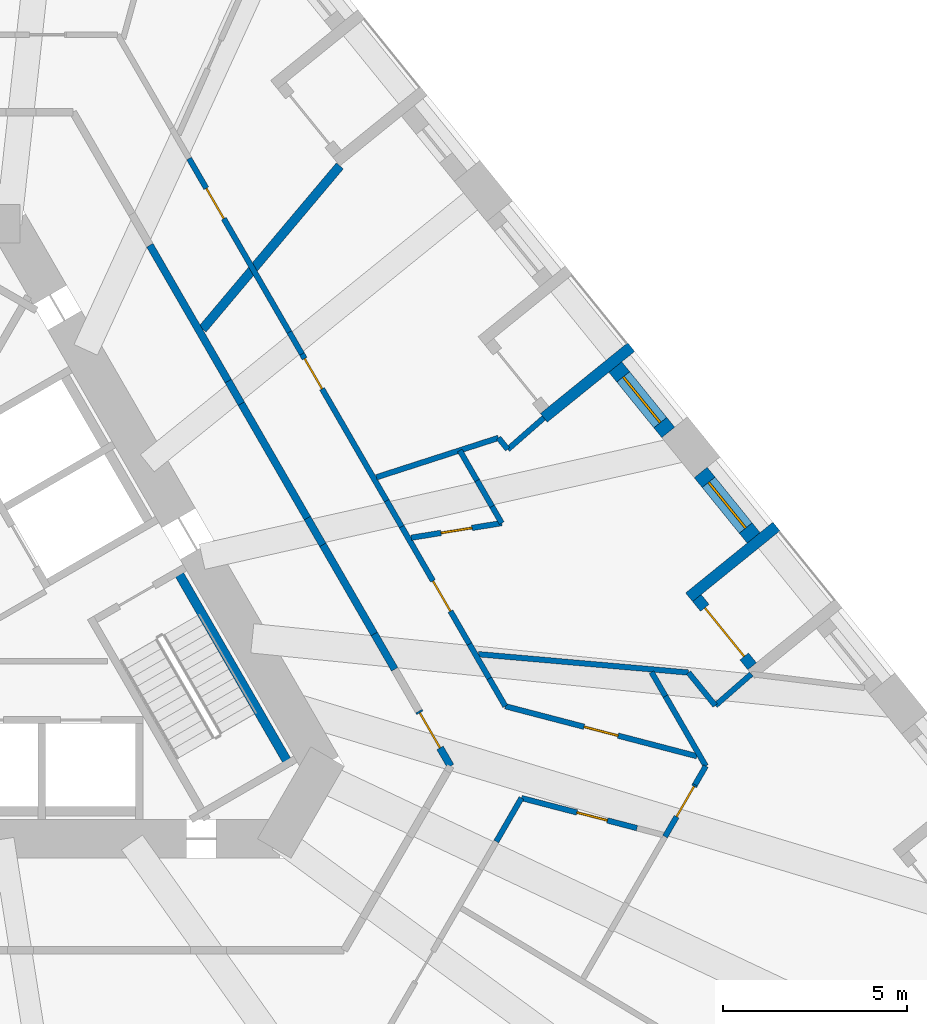
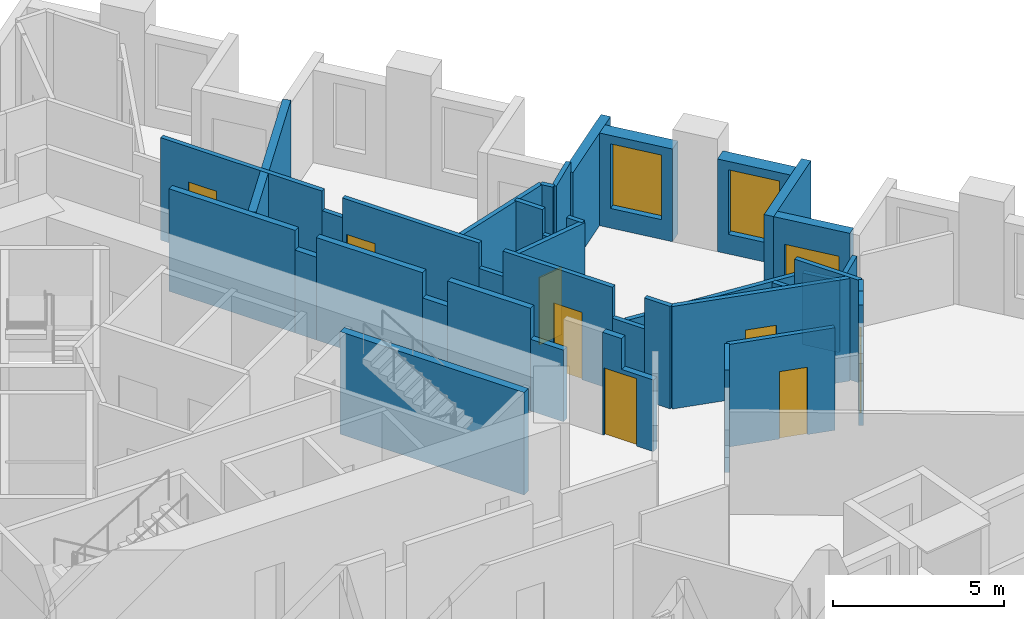
# One storey, part 7 of 14: 38 walls, 9 doors, 2 windows, 11 openings.
"""IFC4 building model written with IfcOpenShell, lengths in metres."""

from ifc_helpers import new_model, si_unit, direction, frame, frame_2d, origin, place, context, subcontext, project, spatial, polyline, rectangle, outline, extrude, material, layer, layer_set, type_object, element, fill, save


model = new_model("IFC4")

# Units and contexts
model_context = context("Model", 3, precision=1e-05, world=origin(), true_north=direction((0.0, 1.0)))
body_context = subcontext(model_context, "Body", "Model", "MODEL_VIEW")
ifc_project = project(units=[si_unit("LENGTHUNIT", "METRE"), si_unit("AREAUNIT", "SQUARE_METRE"), si_unit("VOLUMEUNIT", "CUBIC_METRE"), si_unit("PLANEANGLEUNIT", "RADIAN"), si_unit("MASSUNIT", "GRAM", prefix="KILO")], contexts=[model_context])

# Site, building, storey
site_placement = place(None, origin())
site = spatial("IfcSite", under=ifc_project, at=site_placement, CompositionType="ELEMENT")
building_placement = place(site_placement, origin())
building = spatial("IfcBuilding", under=site, at=building_placement, Name="Tramontana Tower", CompositionType="ELEMENT")
storey_placement = place(building_placement, frame((0.0, 0.0, 71.199951171875)))
storey = spatial("IfcBuildingStorey", under=building, at=storey_placement, Name="L15", CompositionType="ELEMENT", Elevation=71.199951171875)

# Walls
ifc_material_1 = material(Name="Blockwork", Category="masonry")
ifc_layer_1 = layer(ifc_material_1, 0.199951171875)
ifc_layer_set_1 = layer_set([ifc_layer_1], Name="ENTRY WALL 200")
wall_type_1 = type_object("IfcWallType", Name="ENTRY WALL 200", PredefinedType="SOLIDWALL", material=ifc_layer_set_1)
wall_1_placement = place(storey_placement, frame((4.97265625, 9.88720703125, 0.0), z_axis=(0.0, 0.0, 1.0), x_axis=(0.500000470374, -0.866025132214, 0.0)))
element("IfcWall", 1, at=wall_1_placement, inside=storey, type_object=wall_type_1, Name="Wall v11-ew0-2", PredefinedType="SOLIDWALL", context=body_context, shape_type="SweptSolid", body=[
    extrude(rectangle(XDim=4.2568359375, YDim=0.199951171875, at=frame_2d((2.12841796875, 0.0))), origin(), (0.0, 0.0, 1.0), 3.650146484375),
])
wall_2_placement = place(storey_placement, frame((7.10107421875, 6.20068359375, 0.0), z_axis=(0.0, 0.0, 1.0), x_axis=(0.499881507708, -0.866093804534, 0.0)))
element("IfcWall", 2, at=wall_2_placement, inside=storey, type_object=wall_type_1, Name="Wall v11-ew0-3", PredefinedType="SOLIDWALL", context=body_context, shape_type="SweptSolid", body=[
    extrude(rectangle(XDim=0.708740234375, YDim=0.199951171875, at=frame_2d((0.3544921875, 0.0))), origin(), (0.0, 0.0, 1.0), 2.949951171875),
])
wall_3_placement = place(storey_placement, frame((7.455322265625, 5.5869140625, 0.0), z_axis=(0.0, 0.0, 1.0), x_axis=(0.500013241293, -0.866017758786, 0.0)))
element("IfcWall", 3, at=wall_3_placement, inside=storey, type_object=wall_type_1, Name="Wall v11-ew0-4", PredefinedType="SOLIDWALL", context=body_context, shape_type="SweptSolid", body=[
    extrude(rectangle(XDim=3.58544921875, YDim=0.199951171875, at=frame_2d((1.792724609375, 0.0))), origin(), (0.0, 0.0, 1.0), 3.650146484375),
])
wall_4_placement = place(storey_placement, frame((9.248046875, 2.48193359375, 0.0), z_axis=(0.0, 0.0, 1.0), x_axis=(0.500117447933, -0.865957584569, 0.0)))
element("IfcWall", 4, at=wall_4_placement, inside=storey, type_object=wall_type_1, Name="Wall v11-ew0-5", PredefinedType="SOLIDWALL", context=body_context, shape_type="SweptSolid", body=[
    extrude(rectangle(XDim=0.838134765625, YDim=0.199951171875, at=frame_2d((0.4189453125, 0.0))), origin(), (0.0, 0.0, 1.0), 2.75),
])
wall_5_placement = place(storey_placement, frame((9.667236328125, 1.756103515625, 0.0), z_axis=(0.0, 0.0, 1.0), x_axis=(0.499964529649, -0.866045881633, 0.0)))
element("IfcWall", 5, at=wall_5_placement, inside=storey, type_object=wall_type_1, Name="Wall v11-ew0-6", PredefinedType="SOLIDWALL", context=body_context, shape_type="SweptSolid", body=[
    extrude(rectangle(XDim=2.793701171875, YDim=0.199951171875, at=frame_2d((1.39697265625, 0.0))), origin(), (0.0, 0.0, 1.0), 3.650146484375),
])
wall_6_placement = place(storey_placement, frame((11.06396484375, -0.663330078125, 0.0), z_axis=(0.0, 0.0, 1.0), x_axis=(0.499951133605, -0.866053614973, 0.0)))
element("IfcWall", 6, at=wall_6_placement, inside=storey, type_object=wall_type_1, Name="Wall v11-ew0-7", PredefinedType="SOLIDWALL", context=body_context, shape_type="SweptSolid", body=[
    extrude(rectangle(XDim=1.10888671875, YDim=0.199951171875, at=frame_2d((0.554443359375, 0.0))), origin(), (0.0, 0.0, 1.0), 2.550048828125),
])

# Wall, opening, door
wall_7_placement = place(storey_placement, frame((12.274658203125, -2.76025390625, 0.0), z_axis=(0.0, 0.0, 1.0), x_axis=(0.500000921525, -0.866024871741, 0.0)))
wall_7 = element("IfcWall", 7, at=wall_7_placement, inside=storey, type_object=wall_type_1, Name="Wall v11-ew0-9", PredefinedType="SOLIDWALL", context=body_context, shape_type="SweptSolid", body=[
    extrude(outline(polyline([(0.0, 0.0), (1.72021484375, 0.0), (1.72021484375, 2.550048828125), (0.64990234375, 2.550048828125), (0.64990234375, 3.650146484375), (0.0, 3.650146484375), (0.0, 0.0)])), frame((0.0, 0.10009765625, 0.0), z_axis=(0.0, -1.0, 0.0), x_axis=(1.0, 0.0, 0.0)), (0.0, 0.0, 1.0), 0.199951171875),
])
opening_1_placement = place(wall_7_placement, frame((0.050048828125, 0.0, 0.0)))
opening_1 = element("IfcOpeningElement", 8, at=opening_1_placement, cuts=wall_7, Name="Opening B1B-31", PredefinedType="OPENING", context=body_context, shape_type="SweptSolid", body=[
    extrude(rectangle(XDim=1.10009765625, YDim=2.39990234375, at=frame_2d((0.550048828125, 1.199951171875))), frame((0.0, 0.10986328125, 0.0), z_axis=(0.0, -1.0, 0.0), x_axis=(1.0, 0.0, 0.0)), (0.0, 0.0, 1.0), 0.219970703125),
])
ifc_material_2 = material(Name="Painted timber", Category="wood")
door_type_1 = type_object("IfcDoorType", Name="DOOR ENTRY 1100", OperationType="SINGLE_SWING_LEFT", PredefinedType="DOOR", material=ifc_material_2)
door_1_placement = place(opening_1_placement, origin())
door_1 = element("IfcDoor", 9, at=door_1_placement, inside=storey, type_object=door_type_1, Name="Door B1B-31", OperationType="SINGLE_SWING_LEFT", OverallHeight=2.39990234375, OverallWidth=1.10009765625, PredefinedType="DOOR", context=body_context, shape_type="SweptSolid", body=[
    extrude(rectangle(XDim=1.10009765625, YDim=2.39990234375, at=frame_2d((0.550048828125, 1.199951171875))), frame((0.0, 0.02490234375, 0.0), z_axis=(0.0, -1.0, 0.0), x_axis=(1.0, 0.0, 0.0)), (0.0, 0.0, 1.0), 0.050048828125),
])
fill(opening_1, door_1)

# Wall, opening, window
ifc_material_3 = material(Name="Precast concrete 60 MPa", Category="concrete")
ifc_layer_2 = layer(ifc_material_3, 0.449951171875)
ifc_layer_set_2 = layer_set([ifc_layer_2], Name="Precast concrete 60 MPa, 450 mm")
wall_type_2 = type_object("IfcWallType", Name="EW1 Stone-faced precast wall 450", PredefinedType="SOLIDWALL", material=ifc_layer_set_2)
wall_8_placement = place(storey_placement, frame((21.361572265625, 1.94482421875, 0.0), z_axis=(0.0, 0.0, 1.0), x_axis=(-0.629339730135, 0.777130300576, 0.0)))
wall_8 = element("IfcWall", 10, at=wall_8_placement, inside=storey, type_object=wall_type_2, Name="External wall L15 face 2 bay 2", PredefinedType="SOLIDWALL", context=body_context, shape_type="SweptSolid", body=[
    extrude(rectangle(XDim=2.282958984375, YDim=0.449951171875, at=frame_2d((1.1416015625, 0.0))), origin(), (0.0, 0.0, 1.0), 3.300048828125),
])
opening_2_placement = place(wall_8_placement, frame((0.341552734375, 0.0, 0.699951171875)))
opening_2 = element("IfcOpeningElement", 11, at=opening_2_placement, cuts=wall_8, Name="Opening M1", PredefinedType="OPENING", context=body_context, shape_type="SweptSolid", body=[
    extrude(rectangle(XDim=1.60009765625, YDim=2.300048828125, at=frame_2d((0.800048828125, 1.14990234375))), frame((0.0, 0.23486328125, 0.0), z_axis=(0.0, -1.0, 0.0), x_axis=(1.0, 0.0, 0.0)), (0.0, 0.0, 1.0), 0.469970703125),
])
ifc_material_4 = material(Name="Aluminum frame, double glazing unit", Category="aluminium")
window_type = type_object("IfcWindowType", Name="M1 Window 1.6 x 2.3", PartitioningType="SINGLE_PANEL", PredefinedType="WINDOW", material=ifc_material_4)
window_1_placement = place(opening_2_placement, origin())
window_1 = element("IfcWindow", 12, at=window_1_placement, inside=storey, type_object=window_type, Name="Window M1 L15 face 2 module 6", OverallHeight=2.300048828125, OverallWidth=1.60009765625, PartitioningType="SINGLE_PANEL", PredefinedType="WINDOW", context=body_context, shape_type="SweptSolid", body=[
    extrude(rectangle(XDim=1.60009765625, YDim=2.300048828125, at=frame_2d((0.800048828125, 1.14990234375))), frame((0.0, 0.030029296875, 0.0), z_axis=(0.0, -1.0, 0.0), x_axis=(1.0, 0.0, 0.0)), (0.0, 0.0, 1.0), 0.06005859375),
])
fill(opening_2, window_1)

wall_9_placement = place(storey_placement, frame((19.0439453125, 4.80712890625, 0.0), z_axis=(0.0, 0.0, 1.0), x_axis=(-0.629339730135, 0.777130300576, 0.0)))
wall_9 = element("IfcWall", 13, at=wall_9_placement, inside=storey, type_object=wall_type_2, Name="External wall L15 face 2 bay 3", PredefinedType="SOLIDWALL", context=body_context, shape_type="SweptSolid", body=[
    extrude(rectangle(XDim=2.282958984375, YDim=0.449951171875, at=frame_2d((1.1416015625, 0.0))), origin(), (0.0, 0.0, 1.0), 3.300048828125),
])
opening_3_placement = place(wall_9_placement, frame((0.341552734375, 0.0, 0.699951171875)))
opening_3 = element("IfcOpeningElement", 14, at=opening_3_placement, cuts=wall_9, Name="Opening M1", PredefinedType="OPENING", context=body_context, shape_type="SweptSolid", body=[
    extrude(rectangle(XDim=1.60009765625, YDim=2.300048828125, at=frame_2d((0.800048828125, 1.14990234375))), frame((0.0, 0.23486328125, 0.0), z_axis=(0.0, -1.0, 0.0), x_axis=(1.0, 0.0, 0.0)), (0.0, 0.0, 1.0), 0.469970703125),
])
window_2_placement = place(opening_3_placement, origin())
window_2 = element("IfcWindow", 15, at=window_2_placement, inside=storey, type_object=window_type, Name="Window M1 L15 face 2 module 7", OverallHeight=2.300048828125, OverallWidth=1.60009765625, PartitioningType="SINGLE_PANEL", PredefinedType="WINDOW", context=body_context, shape_type="SweptSolid", body=[
    extrude(rectangle(XDim=1.60009765625, YDim=2.300048828125, at=frame_2d((0.800048828125, 1.14990234375))), frame((0.0, 0.030029296875, 0.0), z_axis=(0.0, -1.0, 0.0), x_axis=(1.0, 0.0, 0.0)), (0.0, 0.0, 1.0), 0.06005859375),
])
fill(opening_3, window_2)

# Wall, opening, door
ifc_material_5 = material(Name="Precast concrete 60 MPa", Category="concrete")
ifc_layer_3 = layer(ifc_material_5, 0.300048828125)
ifc_layer_set_3 = layer_set([ifc_layer_3], Name="LW1 Stone-faced loggia wall 300")
wall_type_3 = type_object("IfcWallType", Name="LW1 Stone-faced loggia wall 300", PredefinedType="SOLIDWALL", material=ifc_layer_set_3)
wall_10_placement = place(storey_placement, frame((21.32080078125, -1.54052734375, 0.0), z_axis=(0.0, 0.0, 1.0), x_axis=(-0.629257171563, 0.777197151331, 0.0)))
wall_10 = element("IfcWall", 16, at=wall_10_placement, inside=storey, type_object=wall_type_3, Name="Loggia wall L15 G1S2.4", PredefinedType="SOLIDWALL", context=body_context, shape_type="SweptSolid", body=[
    extrude(rectangle(XDim=2.383056640625, YDim=0.300048828125, at=frame_2d((1.19140625, 0.0))), origin(), (0.0, 0.0, 1.0), 3.300048828125),
])
opening_4_placement = place(wall_10_placement, frame((0.341552734375, 0.0, 0.0)))
opening_4 = element("IfcOpeningElement", 17, at=opening_4_placement, cuts=wall_10, Name="Opening BD-1S2-04", PredefinedType="OPENING", context=body_context, shape_type="SweptSolid", body=[
    extrude(rectangle(XDim=1.699951171875, YDim=2.39990234375, at=frame_2d((0.85009765625, 1.199951171875))), frame((0.0, 0.159912109375, 0.0), z_axis=(0.0, -1.0, 0.0), x_axis=(1.0, 0.0, 0.0)), (0.0, 0.0, 1.0), 0.320068359375),
])
ifc_material_6 = material(Name="Aluminum frame, double glazing unit", Category="aluminium")
door_type_2 = type_object("IfcDoorType", Name="BD1 Sliding door 1.7 x 2.4", OperationType="SLIDING_TO_LEFT", PredefinedType="DOOR", material=ifc_material_6)
door_2_placement = place(opening_4_placement, origin())
door_2 = element("IfcDoor", 18, at=door_2_placement, inside=storey, type_object=door_type_2, Name="Loggia door L15 G1S2.4", OperationType="SLIDING_TO_LEFT", OverallHeight=2.39990234375, OverallWidth=1.699951171875, PredefinedType="DOOR", context=body_context, shape_type="SweptSolid", body=[
    extrude(rectangle(XDim=1.699951171875, YDim=2.39990234375, at=frame_2d((0.85009765625, 1.199951171875))), frame((0.0, 0.02490234375, 0.0), z_axis=(0.0, -1.0, 0.0), x_axis=(1.0, 0.0, 0.0)), (0.0, 0.0, 1.0), 0.050048828125),
])
fill(opening_4, door_2)

# Walls
wall_11_placement = place(storey_placement, frame((21.98046875, 2.2529296875, 0.0), z_axis=(0.0, 0.0, 1.0), x_axis=(-0.777121820661, -0.629350201281, 0.0)))
element("IfcWall", 19, at=wall_11_placement, inside=storey, type_object=wall_type_3, Name="Loggia return L15 G1S2.4b", PredefinedType="SOLIDWALL", context=body_context, shape_type="SweptSolid", body=[
    extrude(rectangle(XDim=3.0498046875, YDim=0.300048828125, at=frame_2d((1.52490234375, 0.0))), origin(), (0.0, 0.0, 1.0), 3.300048828125),
])
wall_12_placement = place(storey_placement, frame((18.037353515625, 7.12255859375, 0.0), z_axis=(0.0, 0.0, 1.0), x_axis=(-0.777153523895, -0.629311052102, 0.0)))
element("IfcWall", 20, at=wall_12_placement, inside=storey, type_object=wall_type_3, Name="Loggia return L15 G1S2.7a", PredefinedType="SOLIDWALL", context=body_context, shape_type="SweptSolid", body=[
    extrude(rectangle(XDim=3.050048828125, YDim=0.300048828125, at=frame_2d((1.52490234375, 0.0))), origin(), (0.0, 0.0, 1.0), 3.300048828125),
])

# Wall, opening, door
ifc_material_7 = material(Name="Gypsum board partition")
ifc_layer_4 = layer(ifc_material_7, 0.14990234375)
ifc_layer_set_4 = layer_set([ifc_layer_4], Name="PARTITION 150")
wall_type_4 = type_object("IfcWallType", Name="PARTITION 150", PredefinedType="PARTITIONING", material=ifc_layer_set_4)
wall_13_placement = place(storey_placement, frame((6.038330078125, 12.241455078125, 0.0), z_axis=(0.0, 0.0, 1.0), x_axis=(0.500003308737, -0.866023493476, 0.0)))
wall_13 = element("IfcWall", 21, at=wall_13_placement, inside=storey, type_object=wall_type_4, Name="Wall v11-pw35-2", PredefinedType="PARTITIONING", context=body_context, shape_type="SweptSolid", body=[
    extrude(rectangle(XDim=5.44287109375, YDim=0.14990234375, at=frame_2d((2.721435546875, 0.0))), origin(), (0.0, 0.0, 1.0), 3.650146484375),
])
opening_5_placement = place(wall_13_placement, frame((0.932861328125, 0.0, 0.0)))
opening_5 = element("IfcOpeningElement", 22, at=opening_5_placement, cuts=wall_13, Name="Opening B1B-05", PredefinedType="OPENING", context=body_context, shape_type="SweptSolid", body=[
    extrude(rectangle(XDim=0.949951171875, YDim=2.39990234375, at=frame_2d((0.47509765625, 1.199951171875))), frame((0.0, 0.0849609375, 0.0), z_axis=(0.0, -1.0, 0.0), x_axis=(1.0, 0.0, 0.0)), (0.0, 0.0, 1.0), 0.169921875),
])
ifc_material_8 = material(Name="Painted timber", Category="wood")
door_type_3 = type_object("IfcDoorType", Name="DOOR ROOM 950", OperationType="SINGLE_SWING_LEFT", PredefinedType="DOOR", material=ifc_material_8)
door_3_placement = place(opening_5_placement, origin())
door_3 = element("IfcDoor", 23, at=door_3_placement, inside=storey, type_object=door_type_3, Name="Door B1B-05", OperationType="SINGLE_SWING_LEFT", OverallHeight=2.39990234375, OverallWidth=0.949951171875, PredefinedType="DOOR", context=body_context, shape_type="SweptSolid", body=[
    extrude(rectangle(XDim=0.949951171875, YDim=2.39990234375, at=frame_2d((0.47509765625, 1.199951171875))), frame((0.0, 0.02490234375, 0.0), z_axis=(0.0, -1.0, 0.0), x_axis=(1.0, 0.0, 0.0)), (0.0, 0.0, 1.0), 0.050048828125),
])
fill(opening_5, door_3)

# Wall
wall_14_placement = place(storey_placement, frame((8.759765625, 7.52783203125, 0.0), z_axis=(0.0, 0.0, 1.0), x_axis=(0.499712146016, -0.866191532586, 0.0)))
element("IfcWall", 24, at=wall_14_placement, inside=storey, type_object=wall_type_4, Name="Wall v11-pw35-3", PredefinedType="PARTITIONING", context=body_context, shape_type="SweptSolid", body=[
    extrude(rectangle(XDim=0.68359375, YDim=0.14990234375, at=frame_2d((0.341796875, 0.0))), origin(), (0.0, 0.0, 1.0), 2.949951171875),
])

# Wall, opening, door
wall_15_placement = place(storey_placement, frame((9.101318359375, 6.935791015625, 0.0), z_axis=(0.0, 0.0, 1.0), x_axis=(0.500008794324, -0.866020326319, 0.0)))
wall_15 = element("IfcWall", 25, at=wall_15_placement, inside=storey, type_object=wall_type_4, Name="Wall v11-pw35-4", PredefinedType="PARTITIONING", context=body_context, shape_type="SweptSolid", body=[
    extrude(rectangle(XDim=4.6005859375, YDim=0.14990234375, at=frame_2d((2.30029296875, 0.0))), origin(), (0.0, 0.0, 1.0), 3.650146484375),
])
opening_6_placement = place(wall_15_placement, frame((0.14306640625, 0.0, 0.0)))
opening_6 = element("IfcOpeningElement", 26, at=opening_6_placement, cuts=wall_15, Name="Opening B1B-26", PredefinedType="OPENING", context=body_context, shape_type="SweptSolid", body=[
    extrude(rectangle(XDim=0.949951171875, YDim=2.39990234375, at=frame_2d((0.47509765625, 1.199951171875))), frame((0.0, 0.0849609375, 0.0), z_axis=(0.0, -1.0, 0.0), x_axis=(1.0, 0.0, 0.0)), (0.0, 0.0, 1.0), 0.169921875),
])
door_4_placement = place(opening_6_placement, origin())
door_4 = element("IfcDoor", 27, at=door_4_placement, inside=storey, type_object=door_type_3, Name="Door B1B-26", OperationType="SINGLE_SWING_RIGHT", OverallHeight=2.39990234375, OverallWidth=0.949951171875, PredefinedType="DOOR", context=body_context, shape_type="SweptSolid", body=[
    extrude(rectangle(XDim=0.949951171875, YDim=2.39990234375, at=frame_2d((0.47509765625, 1.199951171875))), frame((0.0, 0.02490234375, 0.0), z_axis=(0.0, -1.0, 0.0), x_axis=(1.0, 0.0, 0.0)), (0.0, 0.0, 1.0), 0.050048828125),
])
fill(opening_6, door_4)

# Wall
wall_16_placement = place(storey_placement, frame((11.401611328125, 2.95166015625, 0.0), z_axis=(0.0, 0.0, 1.0), x_axis=(0.500147393723, -0.865940289253, 0.0)))
element("IfcWall", 28, at=wall_16_placement, inside=storey, type_object=wall_type_4, Name="Wall v11-pw35-5", PredefinedType="PARTITIONING", context=body_context, shape_type="SweptSolid", body=[
    extrude(rectangle(XDim=0.812255859375, YDim=0.14990234375, at=frame_2d((0.40625, 0.0))), origin(), (0.0, 0.0, 1.0), 2.75),
])

# Wall, opening, door
wall_17_placement = place(storey_placement, frame((11.807861328125, 2.248291015625, 0.0), z_axis=(0.0, 0.0, 1.0), x_axis=(0.500002145574, -0.866024165033, 0.0)))
wall_17 = element("IfcWall", 29, at=wall_17_placement, inside=storey, type_object=wall_type_4, Name="Wall v11-pw35-6", PredefinedType="PARTITIONING", context=body_context, shape_type="SweptSolid", body=[
    extrude(rectangle(XDim=3.67724609375, YDim=0.14990234375, at=frame_2d((1.838623046875, 0.0))), origin(), (0.0, 0.0, 1.0), 3.650146484375),
])
opening_7_placement = place(wall_17_placement, frame((1.69970703125, 0.0, 0.0)))
opening_7 = element("IfcOpeningElement", 30, at=opening_7_placement, cuts=wall_17, Name="Opening B1B-25", PredefinedType="OPENING", context=body_context, shape_type="SweptSolid", body=[
    extrude(rectangle(XDim=0.949951171875, YDim=2.39990234375, at=frame_2d((0.47509765625, 1.199951171875))), frame((0.0, 0.0849609375, 0.0), z_axis=(0.0, -1.0, 0.0), x_axis=(1.0, 0.0, 0.0)), (0.0, 0.0, 1.0), 0.169921875),
])
door_5_placement = place(opening_7_placement, origin())
door_5 = element("IfcDoor", 31, at=door_5_placement, inside=storey, type_object=door_type_3, Name="Door B1B-25", OperationType="SINGLE_SWING_LEFT", OverallHeight=2.39990234375, OverallWidth=0.949951171875, PredefinedType="DOOR", context=body_context, shape_type="SweptSolid", body=[
    extrude(rectangle(XDim=0.949951171875, YDim=2.39990234375, at=frame_2d((0.47509765625, 1.199951171875))), frame((0.0, 0.02490234375, 0.0), z_axis=(0.0, -1.0, 0.0), x_axis=(1.0, 0.0, 0.0)), (0.0, 0.0, 1.0), 0.050048828125),
])
fill(opening_7, door_5)

# Walls
wall_18_placement = place(storey_placement, frame((13.646484375, -0.936279296875, 0.0), z_axis=(0.0, 0.0, 1.0), x_axis=(0.499938053331, -0.866061165757, 0.0)))
element("IfcWall", 32, at=wall_18_placement, inside=storey, type_object=wall_type_4, Name="Wall v11-pw35-7", PredefinedType="PARTITIONING", context=body_context, shape_type="SweptSolid", body=[
    extrude(rectangle(XDim=1.078369140625, YDim=0.14990234375, at=frame_2d((0.5390625, 0.0))), origin(), (0.0, 0.0, 1.0), 2.550048828125),
])
wall_19_placement = place(storey_placement, frame((14.185546875, -1.8701171875, 0.0), z_axis=(0.0, 0.0, 1.0), x_axis=(0.500053675867, -0.86599441179, 0.0)))
element("IfcWall", 33, at=wall_19_placement, inside=storey, type_object=wall_type_4, Name="Wall v11-pw35-8", PredefinedType="PARTITIONING", context=body_context, shape_type="SweptSolid", body=[
    extrude(rectangle(XDim=0.8720703125, YDim=0.14990234375, at=frame_2d((0.43603515625, 0.0))), origin(), (0.0, 0.0, 1.0), 3.650146484375),
])
wall_20_placement = place(storey_placement, frame((11.120361328125, 3.5888671875, 0.0), z_axis=(0.0, 0.0, 1.0), x_axis=(0.951681527344, 0.307086747536, 0.0)))
element("IfcWall", 34, at=wall_20_placement, inside=storey, type_object=wall_type_4, Name="Wall v11-pw42", PredefinedType="PARTITIONING", context=body_context, shape_type="SweptSolid", body=[
    extrude(rectangle(XDim=3.48291015625, YDim=0.14990234375, at=frame_2d((1.741455078125, 0.0))), origin(), (0.0, 0.0, 1.0), 3.650146484375),
])
wall_21_placement = place(storey_placement, frame((13.384765625, 4.31689453125, 0.0), z_axis=(0.0, 0.0, 1.0), x_axis=(0.499931951619, -0.866064687971, 0.0)))
element("IfcWall", 35, at=wall_21_placement, inside=storey, type_object=wall_type_4, Name="Wall v11-pw45-0", PredefinedType="PARTITIONING", context=body_context, shape_type="SweptSolid", body=[
    extrude(rectangle(XDim=0.941650390625, YDim=0.14990234375, at=frame_2d((0.470703125, 0.0))), origin(), (0.0, 0.0, 1.0), 3.650146484375),
])
wall_22_placement = place(storey_placement, frame((13.85546875, 3.50146484375, 0.0), z_axis=(0.0, 0.0, 1.0), x_axis=(0.500147393723, -0.865940289253, 0.0)))
element("IfcWall", 36, at=wall_22_placement, inside=storey, type_object=wall_type_4, Name="Wall v11-pw45-1", PredefinedType="PARTITIONING", context=body_context, shape_type="SweptSolid", body=[
    extrude(rectangle(XDim=0.812255859375, YDim=0.14990234375, at=frame_2d((0.40625, 0.0))), origin(), (0.0, 0.0, 1.0), 2.75),
])
wall_23_placement = place(storey_placement, frame((14.26171875, 2.798095703125, 0.0), z_axis=(0.0, 0.0, 1.0), x_axis=(0.499803250953, -0.866138967104, 0.0)))
element("IfcWall", 37, at=wall_23_placement, inside=storey, type_object=wall_type_4, Name="Wall v11-pw45-2", PredefinedType="PARTITIONING", context=body_context, shape_type="SweptSolid", body=[
    extrude(rectangle(XDim=0.523193359375, YDim=0.14990234375, at=frame_2d((0.26171875, 0.0))), origin(), (0.0, 0.0, 1.0), 3.650146484375),
])
wall_24_placement = place(storey_placement, frame((13.892822265625, -1.213134765625, 0.0), z_axis=(0.0, 0.0, 1.0), x_axis=(0.996208015501, -0.087003389883, 0.0)))
element("IfcWall", 38, at=wall_24_placement, inside=storey, type_object=wall_type_4, Name="Wall v11-pw46-0", PredefinedType="PARTITIONING", context=body_context, shape_type="SweptSolid", body=[
    extrude(rectangle(XDim=5.7216796875, YDim=0.14990234375, at=frame_2d((2.86083984375, 0.0))), origin(), (0.0, 0.0, 1.0), 2.550048828125),
])
wall_25_placement = place(storey_placement, frame((14.43505859375, 4.658447265625, 0.0), z_axis=(0.0, 0.0, 1.0), x_axis=(0.629443838756, -0.777045979239, 0.0)))
element("IfcWall", 39, at=wall_25_placement, inside=storey, type_object=wall_type_4, Name="Wall v11-pw47", PredefinedType="PARTITIONING", context=body_context, shape_type="SweptSolid", body=[
    extrude(rectangle(XDim=0.400390625, YDim=0.14990234375, at=frame_2d((0.2001953125, 0.0))), origin(), (0.0, 0.0, 1.0), 3.650146484375),
])

# Wall, opening, door
wall_26_placement = place(storey_placement, frame((12.067626953125, 1.948486328125, 0.0), z_axis=(0.0, 0.0, 1.0), x_axis=(0.987214229288, 0.159399076194, 0.0)))
wall_26 = element("IfcWall", 40, at=wall_26_placement, inside=storey, type_object=wall_type_4, Name="Wall v11-pw48", PredefinedType="PARTITIONING", context=body_context, shape_type="SweptSolid", body=[
    extrude(rectangle(XDim=2.4873046875, YDim=0.14990234375, at=frame_2d((1.24365234375, 0.0))), origin(), (0.0, 0.0, 1.0), 3.650146484375),
])
opening_8_placement = place(wall_26_placement, frame((0.81884765625, 0.0, 0.0)))
opening_8 = element("IfcOpeningElement", 41, at=opening_8_placement, cuts=wall_26, Name="Opening B1B-28", PredefinedType="OPENING", context=body_context, shape_type="SweptSolid", body=[
    extrude(rectangle(XDim=0.85009765625, YDim=2.39990234375, at=frame_2d((0.425048828125, 1.199951171875))), frame((0.0, 0.0849609375, 0.0), z_axis=(0.0, -1.0, 0.0), x_axis=(1.0, 0.0, 0.0)), (0.0, 0.0, 1.0), 0.169921875),
])
ifc_material_9 = material(Name="Painted timber", Category="wood")
door_type_4 = type_object("IfcDoorType", Name="DOOR BATH 850", OperationType="SINGLE_SWING_LEFT", PredefinedType="DOOR", material=ifc_material_9)
door_6_placement = place(opening_8_placement, origin())
door_6 = element("IfcDoor", 42, at=door_6_placement, inside=storey, type_object=door_type_4, Name="Door B1B-28", OperationType="SINGLE_SWING_RIGHT", OverallHeight=2.39990234375, OverallWidth=0.85009765625, PredefinedType="DOOR", context=body_context, shape_type="SweptSolid", body=[
    extrude(rectangle(XDim=0.85009765625, YDim=2.39990234375, at=frame_2d((0.425048828125, 1.199951171875))), frame((0.0, 0.02490234375, 0.0), z_axis=(0.0, -1.0, 0.0), x_axis=(1.0, 0.0, 0.0)), (0.0, 0.0, 1.0), 0.050048828125),
])
fill(opening_8, door_6)

wall_27_placement = place(storey_placement, frame((14.62158203125, -2.625244140625, 0.0), z_axis=(0.0, 0.0, 1.0), x_axis=(0.967617272397, -0.252421897147, 0.0)))
wall_27 = element("IfcWall", 43, at=wall_27_placement, inside=storey, type_object=wall_type_4, Name="Wall v11-pw49", PredefinedType="PARTITIONING", context=body_context, shape_type="SweptSolid", body=[
    extrude(rectangle(XDim=5.373779296875, YDim=0.14990234375, at=frame_2d((2.68701171875, 0.0))), origin(), (0.0, 0.0, 1.0), 3.650146484375),
])
opening_9_placement = place(wall_27_placement, frame((2.2119140625, 0.0, 0.0)))
opening_9 = element("IfcOpeningElement", 44, at=opening_9_placement, cuts=wall_27, Name="Opening B1B-20", PredefinedType="OPENING", context=body_context, shape_type="SweptSolid", body=[
    extrude(rectangle(XDim=0.949951171875, YDim=2.39990234375, at=frame_2d((0.47509765625, 1.199951171875))), frame((0.0, 0.0849609375, 0.0), z_axis=(0.0, -1.0, 0.0), x_axis=(1.0, 0.0, 0.0)), (0.0, 0.0, 1.0), 0.169921875),
])
door_7_placement = place(opening_9_placement, origin())
door_7 = element("IfcDoor", 45, at=door_7_placement, inside=storey, type_object=door_type_3, Name="Door B1B-20", OperationType="SINGLE_SWING_RIGHT", OverallHeight=2.39990234375, OverallWidth=0.949951171875, PredefinedType="DOOR", context=body_context, shape_type="SweptSolid", body=[
    extrude(rectangle(XDim=0.949951171875, YDim=2.39990234375, at=frame_2d((0.47509765625, 1.199951171875))), frame((0.0, 0.02490234375, 0.0), z_axis=(0.0, -1.0, 0.0), x_axis=(1.0, 0.0, 0.0)), (0.0, 0.0, 1.0), 0.050048828125),
])
fill(opening_9, door_7)

# Walls
wall_28_placement = place(storey_placement, frame((14.689697265625, 4.34716796875, 0.0), z_axis=(0.0, 0.0, 1.0), x_axis=(0.75226229256, 0.658863751615, 0.0)))
element("IfcWall", 46, at=wall_28_placement, inside=storey, type_object=wall_type_4, Name="Wall v11-pw50", PredefinedType="PARTITIONING", context=body_context, shape_type="SweptSolid", body=[
    extrude(rectangle(XDim=1.299072265625, YDim=0.14990234375, at=frame_2d((0.6494140625, 0.0))), origin(), (0.0, 0.0, 1.0), 3.650146484375),
])
wall_29_placement = place(storey_placement, frame((15.059326171875, -5.116455078125, 0.0), z_axis=(0.0, 0.0, 1.0), x_axis=(-0.500032730183, -0.86600650618, 0.0)))
element("IfcWall", 47, at=wall_29_placement, inside=storey, type_object=wall_type_4, Name="Wall v11-pw51-0", PredefinedType="PARTITIONING", context=body_context, shape_type="SweptSolid", body=[
    extrude(rectangle(XDim=1.3623046875, YDim=0.14990234375, at=frame_2d((0.68115234375, 0.0))), origin(), (0.0, 0.0, 1.0), 3.650146484375),
])
wall_30_placement = place(storey_placement, frame((18.58984375, -1.698486328125, 0.0), z_axis=(0.0, 0.0, 1.0), x_axis=(0.500105127418, -0.865964699933, 0.0)))
element("IfcWall", 48, at=wall_30_placement, inside=storey, type_object=wall_type_4, Name="Wall v11-pw52-0", PredefinedType="PARTITIONING", context=body_context, shape_type="SweptSolid", body=[
    extrude(rectangle(XDim=0.754638671875, YDim=0.14990234375, at=frame_2d((0.37744140625, 0.0))), origin(), (0.0, 0.0, 1.0), 2.550048828125),
])
wall_31_placement = place(storey_placement, frame((18.96728515625, -2.35205078125, 0.0), z_axis=(0.0, 0.0, 1.0), x_axis=(0.499973180286, -0.8660408876, 0.0)))
element("IfcWall", 49, at=wall_31_placement, inside=storey, type_object=wall_type_4, Name="Wall v11-pw52-1", PredefinedType="PARTITIONING", context=body_context, shape_type="SweptSolid", body=[
    extrude(rectangle(XDim=2.19140625, YDim=0.14990234375, at=frame_2d((1.095703125, 0.0))), origin(), (0.0, 0.0, 1.0), 3.650146484375),
])

# Wall, opening, door
wall_32_placement = place(storey_placement, frame((18.195068359375, -5.934326171875, 0.0), z_axis=(0.0, 0.0, 1.0), x_axis=(-0.96762847199, 0.252378961474, 0.0)))
wall_32 = element("IfcWall", 50, at=wall_32_placement, inside=storey, type_object=wall_type_4, Name="Wall v11-pw53-1", PredefinedType="PARTITIONING", context=body_context, shape_type="SweptSolid", body=[
    extrude(rectangle(XDim=3.24072265625, YDim=0.14990234375, at=frame_2d((1.620361328125, 0.0))), origin(), (0.0, 0.0, 1.0), 3.650146484375),
])
opening_10_placement = place(wall_32_placement, frame((0.832275390625, 0.0, 0.0)))
opening_10 = element("IfcOpeningElement", 51, at=opening_10_placement, cuts=wall_32, Name="Opening B1B-21", PredefinedType="OPENING", context=body_context, shape_type="SweptSolid", body=[
    extrude(rectangle(XDim=0.85009765625, YDim=2.39990234375, at=frame_2d((0.425048828125, 1.199951171875))), frame((0.0, 0.0849609375, 0.0), z_axis=(0.0, -1.0, 0.0), x_axis=(1.0, 0.0, 0.0)), (0.0, 0.0, 1.0), 0.169921875),
])
door_8_placement = place(opening_10_placement, origin())
door_8 = element("IfcDoor", 52, at=door_8_placement, inside=storey, type_object=door_type_4, Name="Door B1B-21", OperationType="SINGLE_SWING_LEFT", OverallHeight=2.39990234375, OverallWidth=0.85009765625, PredefinedType="DOOR", context=body_context, shape_type="SweptSolid", body=[
    extrude(rectangle(XDim=0.85009765625, YDim=2.39990234375, at=frame_2d((0.425048828125, 1.199951171875))), frame((0.0, 0.02490234375, 0.0), z_axis=(0.0, -1.0, 0.0), x_axis=(1.0, 0.0, 0.0)), (0.0, 0.0, 1.0), 0.050048828125),
])
fill(opening_10, door_8)

# Walls
wall_33_placement = place(storey_placement, frame((19.5927734375, -1.7109375, 0.0), z_axis=(0.0, 0.0, 1.0), x_axis=(0.629356548681, -0.777116680192, 0.0)))
element("IfcWall", 53, at=wall_33_placement, inside=storey, type_object=wall_type_4, Name="Wall v11-pw54-0", PredefinedType="PARTITIONING", context=body_context, shape_type="SweptSolid", body=[
    extrude(rectangle(XDim=1.1533203125, YDim=0.14990234375, at=frame_2d((0.57666015625, 0.0))), origin(), (0.0, 0.0, 1.0), 2.550048828125),
])
wall_34_placement = place(storey_placement, frame((20.06298828125, -4.25, 0.0), z_axis=(0.0, 0.0, 1.0), x_axis=(-0.500312357489, -0.865844988981, 0.0)))
element("IfcWall", 54, at=wall_34_placement, inside=storey, type_object=wall_type_4, Name="Wall v11-pw55-0", PredefinedType="PARTITIONING", context=body_context, shape_type="SweptSolid", body=[
    extrude(rectangle(XDim=0.585205078125, YDim=0.14990234375, at=frame_2d((0.29248046875, 0.0))), origin(), (0.0, 0.0, 1.0), 3.650146484375),
])

# Wall, opening, door
wall_35_placement = place(storey_placement, frame((19.770263671875, -4.756591796875, 0.0), z_axis=(0.0, 0.0, 1.0), x_axis=(-0.499952193351, -0.866053003207, 0.0)))
wall_35 = element("IfcWall", 55, at=wall_35_placement, inside=storey, type_object=wall_type_4, Name="Wall v11-pw55-1", PredefinedType="PARTITIONING", context=body_context, shape_type="SweptSolid", body=[
    extrude(outline(polyline([(0.0, 0.0), (1.625244140625, 0.0), (1.625, 2.550048828125), (0.72607421875, 2.550048828125), (0.72607421875, 3.650146484375), (0.0, 3.650146484375), (0.0, 0.0)])), frame((0.0, 0.074951171875, 0.0), z_axis=(0.0, -1.0, 0.0), x_axis=(1.0, 0.0, 0.0)), (0.0, 0.0, 1.0), 0.14990234375),
])
opening_11_placement = place(wall_35_placement, frame((0.050048828125, 0.0, 0.0)))
opening_11 = element("IfcOpeningElement", 56, at=opening_11_placement, cuts=wall_35, Name="Opening B1B-22", PredefinedType="OPENING", context=body_context, shape_type="SweptSolid", body=[
    extrude(rectangle(XDim=0.949951171875, YDim=2.39990234375, at=frame_2d((0.47509765625, 1.199951171875))), frame((0.0, 0.0849609375, 0.0), z_axis=(0.0, -1.0, 0.0), x_axis=(1.0, 0.0, 0.0)), (0.0, 0.0, 1.0), 0.169921875),
])
door_9_placement = place(opening_11_placement, origin())
door_9 = element("IfcDoor", 57, at=door_9_placement, inside=storey, type_object=door_type_3, Name="Door B1B-22", OperationType="SINGLE_SWING_RIGHT", OverallHeight=2.39990234375, OverallWidth=0.949951171875, PredefinedType="DOOR", context=body_context, shape_type="SweptSolid", body=[
    extrude(rectangle(XDim=0.949951171875, YDim=2.39990234375, at=frame_2d((0.47509765625, 1.199951171875))), frame((0.0, 0.02490234375, 0.0), z_axis=(0.0, -1.0, 0.0), x_axis=(1.0, 0.0, 0.0)), (0.0, 0.0, 1.0), 0.050048828125),
])
fill(opening_11, door_9)

# Walls
wall_36_placement = place(storey_placement, frame((20.321533203125, -2.607421875, 0.0), z_axis=(0.0, 0.0, 1.0), x_axis=(0.75226229256, 0.658863751615, 0.0)))
element("IfcWall", 58, at=wall_36_placement, inside=storey, type_object=wall_type_4, Name="Wall v11-pw56-0", PredefinedType="PARTITIONING", context=body_context, shape_type="SweptSolid", body=[
    extrude(rectangle(XDim=1.299072265625, YDim=0.14990234375, at=frame_2d((0.6494140625, 0.0))), origin(), (0.0, 0.0, 1.0), 2.550048828125),
])
ifc_material_10 = material(Name="Blockwork", Category="masonry")
ifc_layer_5 = layer(ifc_material_10, 0.25)
ifc_layer_set_5 = layer_set([ifc_layer_5], Name="PARTY WALL 250")
wall_type_5 = type_object("IfcWallType", Name="PARTY WALL 250", PredefinedType="SOLIDWALL", material=ifc_layer_set_5)
wall_37_placement = place(storey_placement, frame((10.129638671875, 12.041259765625, 0.0), z_axis=(0.0, 0.0, 1.0), x_axis=(-0.643752614762, -0.76523367084, 0.0)))
element("IfcWall", 59, at=wall_37_placement, inside=storey, type_object=wall_type_5, Name="Wall v11-pw41", PredefinedType="SOLIDWALL", context=body_context, shape_type="SweptSolid", body=[
    extrude(rectangle(XDim=5.7900390625, YDim=0.25, at=frame_2d((2.89501953125, 0.0))), origin(), (0.0, 0.0, 1.0), 3.650146484375),
])
ifc_material_11 = material(Name="Concrete 70 MPa", Category="concrete")
ifc_layer_6 = layer(ifc_material_11, 0.25)
ifc_layer_set_6 = layer_set([ifc_layer_6], Name="Concrete 70 MPa, 250 mm")
wall_type_6 = type_object("IfcWallType", Name="RC SHAFT BACK WALL 250", PredefinedType="SOLIDWALL", material=ifc_layer_set_6)
wall_38_placement = place(storey_placement, frame((8.781494140625, -4.260009765625, 0.0), z_axis=(0.0, 0.0, 1.0), x_axis=(-0.500009909098, 0.866019682689, 0.0)))
element("IfcWall", 60, at=wall_38_placement, inside=storey, type_object=wall_type_6, Name="Wall st3-back", PredefinedType="SOLIDWALL", context=body_context, shape_type="SweptSolid", body=[
    extrude(rectangle(XDim=6.199951171875, YDim=0.25, at=frame_2d((3.10009765625, 0.0))), origin(), (0.0, 0.0, 1.0), 3.650146484375),
])

save(model, "model.ifc")
